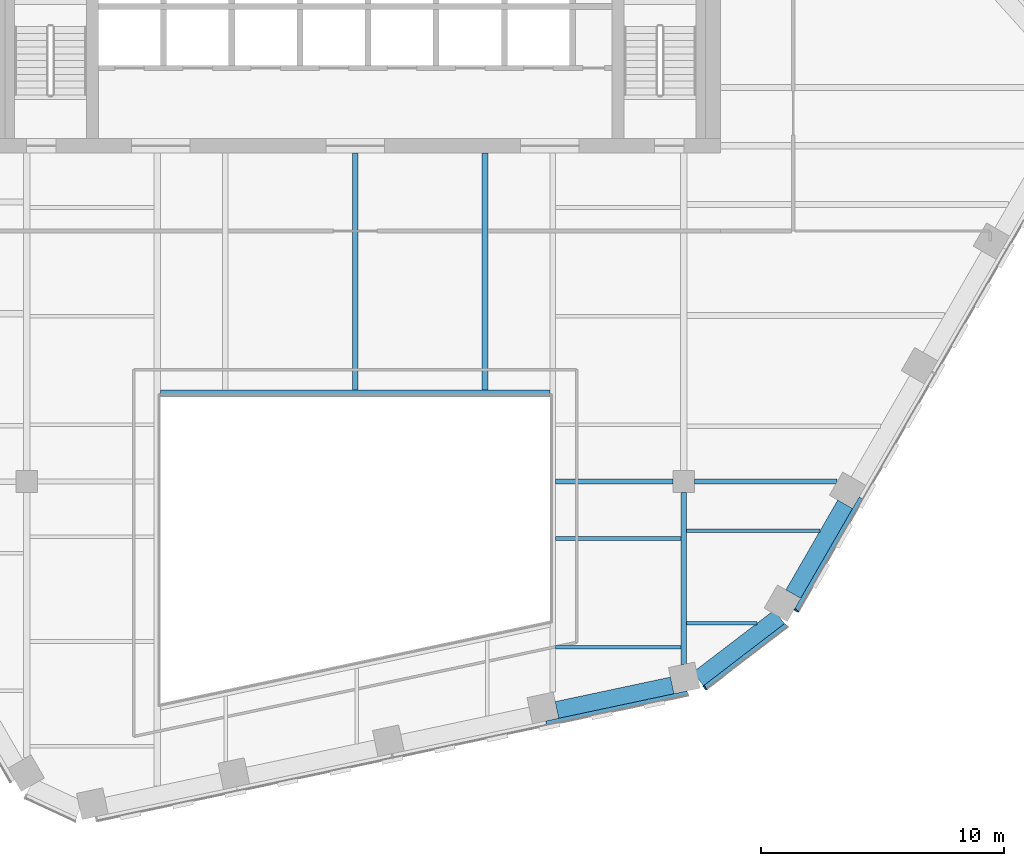
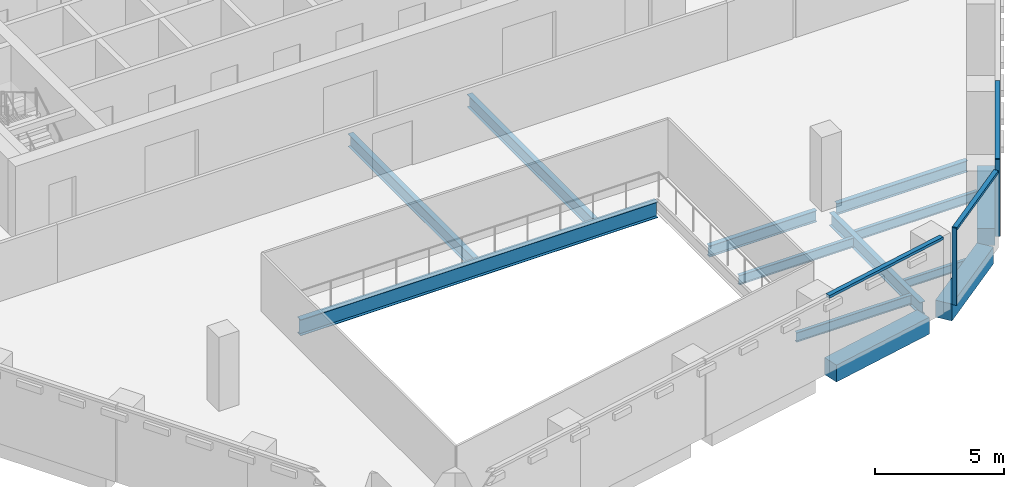
# One storey, part 4 of 16: 13 beams, 5 members, 3 elements without a shape of their own.
"""IFC4 building model written with IfcOpenShell, lengths in metres."""

import ifcopenshell
import ifcopenshell.guid

model = None  # the IFC model being written
_history = None  # IfcOwnerHistory: only IFC2X3 demands one
_inside = {}  # id of a spatial element -> (the spatial element, [elements in it])
_under = {}  # id of a project, library or spatial element -> (it, [spatial elements below it])
_declared = {}  # id of a project -> (the project, [libraries it declares])
_typed = {}  # id of a type object -> (the type object, [elements of that type])
_made_of = {}  # id of a material, layer set ... -> (it, [elements and type objects made of it])


def new_model(schema):
    """Start an empty IFC model of exactly this schema.

    Asked for "IFC4X3", IfcOpenShell would pick the latest addendum, in which some entities
    have other attributes; the version numbers below select the first issue.
    IFC2X3 requires an IfcOwnerHistory on every rooted entity: one is made here for all.
    """
    global model, _history
    if schema == "IFC4X3":
        model = ifcopenshell.file(schema_version=(4, 3, 0, 0))
    else:
        model = ifcopenshell.file(schema=schema)
    _inside.clear()
    _under.clear()
    _declared.clear()
    _typed.clear()
    _made_of.clear()
    _history = None
    if model.schema == "IFC2X3":
        org = make("IfcOrganization", Name="unknown")
        user = make(
            "IfcPersonAndOrganization",
            ThePerson=make("IfcPerson", FamilyName="unknown"),
            TheOrganization=org,
        )
        app = make(
            "IfcApplication",
            ApplicationDeveloper=org,
            Version="unknown",
            ApplicationFullName="unknown",
            ApplicationIdentifier="unknown",
        )
        _history = make(
            "IfcOwnerHistory",
            OwningUser=user,
            OwningApplication=app,
            ChangeAction="ADDED",
            CreationDate=0,
        )
    return model


def make(cls, **values):
    """One entity of the class cls with the attributes given. An attribute that is None is left unset."""
    return model.create_entity(
        cls, **{name: value for name, value in values.items() if value is not None}
    )


def rooted(cls, **values):
    """An entity with a GlobalId (a new one), such as an element, a storey or a relation."""
    return make(cls, GlobalId=ifcopenshell.guid.new(), OwnerHistory=_history, **values)


def si_unit(unit_type, name, prefix=None):
    """IfcSIUnit, for example si_unit("LENGTHUNIT", "METRE", prefix="MILLI")."""
    return make("IfcSIUnit", UnitType=unit_type, Prefix=prefix, Name=name)


def assignment(units):
    """IfcUnitAssignment: the units of a project."""
    return None if units is None else make("IfcUnitAssignment", Units=units)


def point(xyz):
    """IfcCartesianPoint."""
    return None if xyz is None else make("IfcCartesianPoint", Coordinates=xyz)


def direction(xyz):
    """IfcDirection."""
    return None if xyz is None else make("IfcDirection", DirectionRatios=xyz)


def frame(location, z_axis=None, x_axis=None):
    """IfcAxis2Placement3D, a coordinate frame: its origin and axes. An axis left out is left unset."""
    return make(
        "IfcAxis2Placement3D",
        Location=point(location),
        Axis=direction(z_axis),
        RefDirection=direction(x_axis),
    )


def frame_2d(location, x_axis=None):
    """IfcAxis2Placement2D, a coordinate frame in the plane: its origin and x axis."""
    return make(
        "IfcAxis2Placement2D", Location=point(location), RefDirection=direction(x_axis)
    )


def origin():
    """The frame at (0, 0, 0) with its axes left unset."""
    return frame((0.0, 0.0, 0.0))


def origin_2d():
    """The frame at (0, 0) in the plane with its x axis left unset."""
    return frame_2d((0.0, 0.0))


def place(relative_to, where):
    """IfcLocalPlacement: puts the frame where relative to a parent placement (None: the world)."""
    return make(
        "IfcLocalPlacement", PlacementRelTo=relative_to, RelativePlacement=where
    )


def context(
    kind, dimensions, precision=None, world=None, true_north=None, identifier=None
):
    """IfcGeometricRepresentationContext, for example the 3D "Model" context."""
    return make(
        "IfcGeometricRepresentationContext",
        ContextIdentifier=identifier,
        ContextType=kind,
        CoordinateSpaceDimension=dimensions,
        Precision=precision,
        WorldCoordinateSystem=world,
        TrueNorth=true_north,
    )


def subcontext(parent, identifier, kind, view, scale=None):
    """IfcGeometricRepresentationSubContext, for example "Body" below "Model"."""
    return make(
        "IfcGeometricRepresentationSubContext",
        ContextIdentifier=identifier,
        ContextType=kind,
        ParentContext=parent,
        TargetScale=scale,
        TargetView=view,
    )


def project(units=None, contexts=None):
    """IfcProject with its units and contexts."""
    return rooted(
        "IfcProject",
        Name="project",
        RepresentationContexts=contexts,
        UnitsInContext=assignment(units),
    )


def spatial(cls, under=None, at=None, **own):
    """A site, building, storey or space (cls), placed at a placement, below another one or the project."""
    s = rooted(cls, ObjectPlacement=at, **own)
    if under is not None:
        _under.setdefault(under.id(), (under, []))[1].append(s)
    return s


def profile(cls, at=None, kind="AREA", **sizes):
    """A parametric profile (cls). Its sizes go by their IFC names, for example OverallWidth=200.0."""
    return make(cls, ProfileType=kind, Position=at, **sizes)


def rectangle(**sizes):
    """IfcRectangleProfileDef."""
    return profile("IfcRectangleProfileDef", **sizes)


def i_section(**sizes):
    """IfcIShapeProfileDef."""
    return profile("IfcIShapeProfileDef", **sizes)


def extrude(swept, where, along, depth):
    """IfcExtrudedAreaSolid: the profile swept, set in the frame where, extruded along a direction by depth."""
    return make(
        "IfcExtrudedAreaSolid",
        SweptArea=swept,
        Position=where,
        ExtrudedDirection=direction(along),
        Depth=depth,
    )


def shape(context_of_items, identifier, shape_type, items):
    """IfcShapeRepresentation: the items that make up one representation, for example the "Body"."""
    return make(
        "IfcShapeRepresentation",
        ContextOfItems=context_of_items,
        RepresentationIdentifier=identifier,
        RepresentationType=shape_type,
        Items=items,
    )


def material(Name=None, Category=None):
    """IfcMaterial."""
    return make("IfcMaterial", Name=Name, Category=Category)


def layer(
    of_material, thickness, ventilated=None, Name=None, Category=None, Priority=None
):
    """IfcMaterialLayer: one layer of a wall or slab, of a material (None: an air gap)."""
    return make(
        "IfcMaterialLayer",
        Material=of_material,
        LayerThickness=thickness,
        IsVentilated=ventilated,
        Name=Name,
        Category=Category,
        Priority=Priority,
    )


def layer_set(layers, Name=None):
    """IfcMaterialLayerSet."""
    return make("IfcMaterialLayerSet", MaterialLayers=layers, LayerSetName=Name)


def material_profile(
    of_material, cross_section, Name=None, Category=None, Priority=None
):
    """IfcMaterialProfile: a cross section and its material."""
    return make(
        "IfcMaterialProfile",
        Name=Name,
        Material=of_material,
        Profile=cross_section,
        Priority=Priority,
        Category=Category,
    )


def profile_set(profiles, Name=None, composite=None):
    """IfcMaterialProfileSet."""
    return make(
        "IfcMaterialProfileSet",
        Name=Name,
        MaterialProfiles=profiles,
        CompositeProfile=composite,
    )


def made_of(thing, what):
    """Note that an element or type object is made of a material, layer set ...; save() writes the relation."""
    if what is not None:
        _made_of.setdefault(what.id(), (what, []))[1].append(thing)
    return thing


def type_object(cls, material=None, **own):
    """A type object (cls), such as IfcWallType, which elements share."""
    return made_of(rooted(cls, **own), material)


def element(
    cls,
    number,
    at=None,
    inside=None,
    cuts=None,
    type_object=None,
    material=None,
    context=None,
    identifier="Body",
    shape_type=None,
    held_by="IfcProductDefinitionShape",
    body=None,
    shapes=None,
    **own,
):
    """One element of the class cls, such as IfcWall. Its Tag is "e" and its number.

    at: its placement. inside: the storey or other place that contains it. cuts: it is an
    opening in that element (IfcRelVoidsElement). A single representation is given by context,
    identifier, shape_type and body (its items); several are given by shapes. held_by: the class
    of the entity that holds the representations. save() writes the other relations.
    """
    e = rooted(cls, Tag="e%d" % number, ObjectPlacement=at, **own)
    if body is not None:
        shapes = [shape(context, identifier, shape_type, body)]
    if shapes is not None:
        e.Representation = make(held_by, Representations=shapes)
    if inside is not None:
        _inside.setdefault(inside.id(), (inside, []))[1].append(e)
    if cuts is not None:
        rooted(
            "IfcRelVoidsElement", RelatingBuildingElement=cuts, RelatedOpeningElement=e
        )
    if type_object is not None:
        _typed.setdefault(type_object.id(), (type_object, []))[1].append(e)
    return made_of(e, material)


def aggregate(whole, parts):
    """IfcRelAggregates: a whole, such as a stair, and the parts it consists of."""
    return rooted("IfcRelAggregates", RelatingObject=whole, RelatedObjects=parts)


def save(model, path):
    """Write the relations noted so far, then the file.

    IfcRelAggregates (storeys below a building ...), IfcRelContainedInSpatialStructure (elements
    in a storey), IfcRelDefinesByType, IfcRelAssociatesMaterial and IfcRelDeclares: one each for
    every whole, place, type object, material and project.
    """
    for whole, parts in _under.values():
        aggregate(whole, parts)
    for where, things in _inside.values():
        rooted(
            "IfcRelContainedInSpatialStructure",
            RelatedElements=things,
            RelatingStructure=where,
        )
    for kind, things in _typed.values():
        rooted("IfcRelDefinesByType", RelatedObjects=things, RelatingType=kind)
    for what, things in _made_of.values():
        rooted("IfcRelAssociatesMaterial", RelatedObjects=things, RelatingMaterial=what)
    for by, libraries in _declared.values():
        rooted("IfcRelDeclares", RelatingContext=by, RelatedDefinitions=libraries)
    model.write(path)


model = new_model("IFC4")

# Units and contexts
model_context = context("Model", 3, precision=1e-05, world=origin(), true_north=direction((0.0, 1.0)))
body_context = subcontext(model_context, "Body", "Model", "MODEL_VIEW")
ifc_project = project(units=[si_unit("LENGTHUNIT", "METRE"), si_unit("AREAUNIT", "SQUARE_METRE"), si_unit("VOLUMEUNIT", "CUBIC_METRE"), si_unit("PLANEANGLEUNIT", "RADIAN"), si_unit("MASSUNIT", "GRAM", prefix="KILO")], contexts=[model_context])

# Site, building, storey
site_placement = place(None, origin())
site = spatial("IfcSite", under=ifc_project, at=site_placement, CompositionType="ELEMENT")
building_placement = place(site_placement, origin())
building = spatial("IfcBuilding", under=site, at=building_placement, Name="Isthmus Gate Tower", CompositionType="ELEMENT")
storey_placement = place(building_placement, frame((0.0, 0.0, 216.300048828125)))
storey = spatial("IfcBuildingStorey", under=building, at=storey_placement, Name="L54", CompositionType="ELEMENT", Elevation=216.300048828125)

# Curtain wall, member
ifc_material_1 = material(Name="Aluminium, pale champagne anodised", Category="aluminium")
ifc_layer = layer(ifc_material_1, 0.199951171875)
ifc_layer_set = layer_set([ifc_layer], Name="CW-1 UNITISED CURTAIN WALL 200 DEEP")
curtain_wall_type = type_object("IfcCurtainWallType", Name="CW-1 UNITISED CURTAIN WALL 200 DEEP", PredefinedType="NOTDEFINED", material=ifc_layer_set)
curtain_wall_1_placement = place(storey_placement, origin())
curtain_wall_1 = element("IfcCurtainWall", 1, at=curtain_wall_1_placement, inside=storey, type_object=curtain_wall_type, Name="CW-1 S-SE L54", PredefinedType="NOTDEFINED")
ifc_material_2 = material(Name="Aluminium, pale champagne anodised", Category="aluminium")
ifc_material_profile_1 = material_profile(ifc_material_2, rectangle(XDim=0.06005859375, YDim=0.199951171875, at=origin_2d()), Name="60x200")
ifc_profile_set_1 = profile_set([ifc_material_profile_1], Name="Aluminium, pale champagne anodised")
member_type_1 = type_object("IfcMemberType", Name="CW-1 MULLION 60 X 200", PredefinedType="MULLION", material=ifc_profile_set_1)
member_1_placement = place(storey_placement, frame((14.3720703125, -21.961669921875, 0.0), z_axis=(0.0, 0.0, 1.0), x_axis=(0.794188594387, 0.607671355706, 0.0)))
member_1 = element("IfcMember", 2, at=member_1_placement, type_object=member_type_1, Name="CW-1 mullion", PredefinedType="MULLION", context=body_context, shape_type="SweptSolid", body=[
    extrude(rectangle(XDim=0.06005859375, YDim=0.199951171875, at=origin_2d()), origin(), (0.0, 0.0, 1.0), 3.64990234375),
])

curtain_wall_2_placement = place(storey_placement, origin())
curtain_wall_2 = element("IfcCurtainWall", 3, at=curtain_wall_2_placement, inside=storey, type_object=curtain_wall_type, Name="CW-1 SE L54", PredefinedType="NOTDEFINED")
member_2_placement = place(storey_placement, frame((18.131591796875, -18.794921875, 0.0), z_axis=(0.0, 0.0, 1.0), x_axis=(0.5, 0.866025403784, 0.0)))
member_2 = element("IfcMember", 4, at=member_2_placement, type_object=member_type_1, Name="CW-1 mullion", PredefinedType="MULLION", context=body_context, shape_type="SweptSolid", body=[
    extrude(rectangle(XDim=0.06005859375, YDim=0.199951171875, at=origin_2d()), origin(), (0.0, 0.0, 1.0), 3.64990234375),
])

curtain_wall_3_placement = place(storey_placement, origin())
curtain_wall_3 = element("IfcCurtainWall", 5, at=curtain_wall_3_placement, inside=storey, type_object=curtain_wall_type, Name="CW-1 S L54", PredefinedType="NOTDEFINED")
ifc_material_3 = material(Name="Aluminium, pale champagne anodised", Category="aluminium")
ifc_material_profile_2 = material_profile(ifc_material_3, rectangle(XDim=0.199951171875, YDim=0.1298828125, at=origin_2d()), Name="200x130")
ifc_profile_set_2 = profile_set([ifc_material_profile_2], Name="Aluminium, pale champagne anodised")
member_type_2 = type_object("IfcMemberType", Name="CW-1 TRANSOM 200 X 130", PredefinedType="USERDEFINED", material=ifc_profile_set_2)
member_3_placement = place(storey_placement, frame((7.844970703125, -23.434814453125, 3.5849609375), z_axis=(0.978148616043, 0.207906914105, 0.0), x_axis=(-0.207906914105, 0.978148616043, 0.0)))
member_3 = element("IfcMember", 6, at=member_3_placement, type_object=member_type_2, Name="CW-1 transom", ObjectType="TRANSOM", PredefinedType="USERDEFINED", context=body_context, shape_type="SweptSolid", body=[
    extrude(rectangle(XDim=0.199951171875, YDim=0.1298828125, at=origin_2d()), origin(), (0.0, 0.0, 1.0), 5.94189453125),
])
aggregate(curtain_wall_3, [member_3])

# Member
member_4_placement = place(storey_placement, frame((14.39599609375, -21.943603515625, 3.5849609375), z_axis=(0.794175498212, 0.607688471209, 0.0), x_axis=(-0.607688471209, 0.794175498212, 0.0)))
member_4 = element("IfcMember", 7, at=member_4_placement, type_object=member_type_2, Name="CW-1 transom", ObjectType="TRANSOM", PredefinedType="USERDEFINED", context=body_context, shape_type="SweptSolid", body=[
    extrude(rectangle(XDim=0.199951171875, YDim=0.1298828125, at=origin_2d()), origin(), (0.0, 0.0, 1.0), 4.181396484375),
])

aggregate(curtain_wall_1, [member_1, member_4])

member_5_placement = place(storey_placement, frame((18.146728515625, -18.76904296875, 3.5849609375), z_axis=(0.499968318869, 0.866043694121, 0.0), x_axis=(-0.866043694121, 0.499968318869, 0.0)))
member_5 = element("IfcMember", 8, at=member_5_placement, type_object=member_type_2, Name="CW-1 transom", ObjectType="TRANSOM", PredefinedType="USERDEFINED", context=body_context, shape_type="SweptSolid", body=[
    extrude(rectangle(XDim=0.199951171875, YDim=0.1298828125, at=origin_2d()), origin(), (0.0, 0.0, 1.0), 5.300537109375),
])

aggregate(curtain_wall_2, [member_2, member_5])

# Beams
ifc_material_4 = material(Name="Concrete f'c 50 MPa", Category="concrete")
ifc_material_profile_3 = material_profile(ifc_material_4, rectangle(XDim=0.699951171875, YDim=0.800048828125, at=origin_2d()), Name="RC 700X800")
ifc_profile_set_3 = profile_set([ifc_material_profile_3], Name="Concrete f'c 50 MPa")
beam_type_1 = type_object("IfcBeamType", Name="RC SPANDREL 700 X 800", PredefinedType="SPANDREL", material=ifc_profile_set_3)
beam_1_placement = place(storey_placement, frame((20.13232421875, -14.429931640625, -0.400146484375), z_axis=(-0.500021719575, -0.866012863619, 0.0), x_axis=(0.866012863619, -0.500021719575, 0.0)))
element("IfcBeam", 9, at=beam_1_placement, inside=storey, type_object=beam_type_1, Name="str-spandrel-L54-09", PredefinedType="SPANDREL", context=body_context, shape_type="SweptSolid", body=[
    extrude(rectangle(XDim=0.699951171875, YDim=0.800048828125, at=origin_2d()), origin(), (0.0, 0.0, 1.0), 4.260498046875),
])
beam_2_placement = place(storey_placement, frame((17.4267578125, -19.057861328125, -0.400146484375), z_axis=(-0.794182771845, -0.60767896533, 0.0), x_axis=(0.60767896533, -0.794182771845, 0.0)))
element("IfcBeam", 10, at=beam_2_placement, inside=storey, type_object=beam_type_1, Name="str-spandrel-L54-10", PredefinedType="SPANDREL", context=body_context, shape_type="SweptSolid", body=[
    extrude(rectangle(XDim=0.699951171875, YDim=0.800048828125, at=origin_2d()), origin(), (0.0, 0.0, 1.0), 4.19677734375),
])
beam_3_placement = place(storey_placement, frame((13.025390625, -21.87353515625, -0.400146484375), z_axis=(-0.978151545833, -0.207893129722, 0.0), x_axis=(0.207893129722, -0.978151545833, 0.0)))
element("IfcBeam", 11, at=beam_3_placement, inside=storey, type_object=beam_type_1, Name="str-spandrel-L54-11", PredefinedType="SPANDREL", context=body_context, shape_type="SweptSolid", body=[
    extrude(rectangle(XDim=0.699951171875, YDim=0.800048828125, at=origin_2d()), origin(), (0.0, 0.0, 1.0), 4.841796875),
])
ifc_material_5 = material(Name="Structural steel ASTM A992 Gr 50", Category="steel")
ifc_material_profile_4 = material_profile(ifc_material_5, i_section(OverallWidth=0.1396484375, OverallDepth=0.4033203125, WebThickness=0.00634765625, FlangeThickness=0.010986328125, at=origin_2d()), Name="W16X31")
ifc_profile_set_4 = profile_set([ifc_material_profile_4], Name="Structural steel ASTM A992 Gr 50")
beam_type_2 = type_object("IfcBeamType", Name="STEEL FLOOR BEAM W16X31", PredefinedType="JOIST", material=ifc_profile_set_4)
beam_4_placement = place(storey_placement, frame((13.6142578125, -19.322998046875, -0.3515625), z_axis=(1.0, 0.0, 0.0), x_axis=(0.0, 1.0, 0.0)))
element("IfcBeam", 12, at=beam_4_placement, inside=storey, type_object=beam_type_2, Name="str-beam-L54-11-00", PredefinedType="JOIST", context=body_context, shape_type="SweptSolid", body=[
    extrude(i_section(OverallWidth=0.1396484375, OverallDepth=0.4033203125, WebThickness=0.00634765625, FlangeThickness=0.010986328125, at=origin_2d()), origin(), (0.0, 0.0, 1.0), 2.889892578125),
])
ifc_material_6 = material(Name="Structural steel ASTM A992 Gr 50", Category="steel")
ifc_material_profile_5 = material_profile(ifc_material_6, i_section(OverallWidth=0.15234375, OverallDepth=0.45068359375, WebThickness=0.0078125, FlangeThickness=0.010986328125, at=origin_2d()), Name="W18X35")
ifc_profile_set_5 = profile_set([ifc_material_profile_5], Name="Structural steel ASTM A992 Gr 50")
beam_type_3 = type_object("IfcBeamType", Name="STEEL FLOOR BEAM W18X35", PredefinedType="JOIST", material=ifc_profile_set_5)
for number, where, z_axis, x_axis, name in (
    (13, (8.228515625, -20.3046875, -0.37548828125), (1.0, 0.0, 0.0), (0.0, 1.0, 0.0), "str-beam-L54-09-00"),
    (14, (8.228515625, -15.838134765625, -0.37548828125), (1.0, 0.0, 0.0), (0.0, 1.0, 0.0), "str-beam-L54-09-01"),
):
    element("IfcBeam", number, at=place(storey_placement, frame(where, z_axis=z_axis, x_axis=x_axis)), inside=storey, type_object=beam_type_3, Name=name, PredefinedType="JOIST", context=body_context, shape_type="SweptSolid", body=[
        extrude(i_section(OverallWidth=0.15234375, OverallDepth=0.45068359375, WebThickness=0.0078125, FlangeThickness=0.010986328125, at=origin_2d()), origin(), (0.0, 0.0, 1.0), 5.1572265625),
    ])
beam_5_placement = place(storey_placement, frame((13.6142578125, -15.5107421875, -0.37548828125), z_axis=(1.0, 0.0, 0.0), x_axis=(0.0, 1.0, 0.0)))
element("IfcBeam", 15, at=beam_5_placement, inside=storey, type_object=beam_type_3, Name="str-beam-L54-11-01", PredefinedType="JOIST", context=body_context, shape_type="SweptSolid", body=[
    extrude(i_section(OverallWidth=0.15234375, OverallDepth=0.45068359375, WebThickness=0.0078125, FlangeThickness=0.010986328125, at=origin_2d()), origin(), (0.0, 0.0, 1.0), 5.48974609375),
])
ifc_material_7 = material(Name="Structural steel ASTM A992 Gr 50", Category="steel")
ifc_material_profile_6 = material_profile(ifc_material_7, i_section(OverallWidth=0.228515625, OverallDepth=0.603271484375, WebThickness=0.010986328125, FlangeThickness=0.014404296875, at=origin_2d()), Name="W24X68")
ifc_profile_set_6 = profile_set([ifc_material_profile_6], Name="Structural steel ASTM A992 Gr 50")
beam_type_4 = type_object("IfcBeamType", Name="STEEL FLOOR BEAM W24X68", PredefinedType="JOIST", material=ifc_profile_set_6)
for number, where, z_axis, x_axis, name in (
    (16, (0.0, -9.7333984375, -0.45166015625), (0.0, 1.0, 0.0), (-1.0, 0.0, 0.0), "str-beam-L54-07-01"),
    (17, (5.333251953125, -9.7333984375, -0.45166015625), (0.0, 1.0, 0.0), (-1.0, 0.0, 0.0), "str-beam-L54-07-02"),
):
    element("IfcBeam", number, at=place(storey_placement, frame(where, z_axis=z_axis, x_axis=x_axis)), inside=storey, type_object=beam_type_4, Name=name, PredefinedType="JOIST", context=body_context, shape_type="SweptSolid", body=[
        extrude(i_section(OverallWidth=0.228515625, OverallDepth=0.603271484375, WebThickness=0.010986328125, FlangeThickness=0.014404296875, at=origin_2d()), origin(), (0.0, 0.0, 1.0), 9.7333984375),
    ])
ifc_material_8 = material(Name="Structural steel ASTM A992 Gr 50", Category="steel")
ifc_material_profile_7 = material_profile(ifc_material_8, i_section(OverallWidth=0.20947265625, OverallDepth=0.533447265625, WebThickness=0.009521484375, FlangeThickness=0.015869140625, at=origin_2d()), Name="W21X62")
ifc_profile_set_7 = profile_set([ifc_material_profile_7], Name="Structural steel ASTM A992 Gr 50")
beam_type_5 = type_object("IfcBeamType", Name="STEEL GIRDER W21X62", PredefinedType="BEAM", material=ifc_profile_set_7)
beam_6_placement = place(storey_placement, frame((8.228515625, -13.5, -0.416748046875), z_axis=(1.0, 0.0, 0.0), x_axis=(0.0, 1.0, 0.0)))
element("IfcBeam", 18, at=beam_6_placement, inside=storey, type_object=beam_type_5, Name="str-girder-L54-03", PredefinedType="BEAM", context=body_context, shape_type="SweptSolid", body=[
    extrude(i_section(OverallWidth=0.20947265625, OverallDepth=0.533447265625, WebThickness=0.009521484375, FlangeThickness=0.015869140625, at=origin_2d()), origin(), (0.0, 0.0, 1.0), 4.821533203125),
])
beam_7_placement = place(storey_placement, frame((13.949951171875, -13.5, -0.416748046875), z_axis=(1.0, 0.0, 0.0), x_axis=(0.0, 1.0, 0.0)))
element("IfcBeam", 19, at=beam_7_placement, inside=storey, type_object=beam_type_5, Name="str-girder-L54-04", PredefinedType="BEAM", context=body_context, shape_type="SweptSolid", body=[
    extrude(i_section(OverallWidth=0.20947265625, OverallDepth=0.533447265625, WebThickness=0.009521484375, FlangeThickness=0.015869140625, at=origin_2d()), origin(), (0.0, 0.0, 1.0), 5.853271484375),
])
ifc_material_9 = material(Name="Structural steel ASTM A992 Gr 50", Category="steel")
ifc_material_profile_8 = material_profile(ifc_material_9, i_section(OverallWidth=0.228515625, OverallDepth=0.603271484375, WebThickness=0.010986328125, FlangeThickness=0.014404296875, at=origin_2d()), Name="W24X68")
ifc_profile_set_8 = profile_set([ifc_material_profile_8], Name="Structural steel ASTM A992 Gr 50")
beam_type_6 = type_object("IfcBeamType", Name="STEEL GIRDER W24X68", PredefinedType="BEAM", material=ifc_profile_set_8)
beam_8_placement = place(storey_placement, frame((13.5, -21.005859375, -0.45166015625), z_axis=(0.0, 1.0, 0.0), x_axis=(-1.0, 0.0, 0.0)))
element("IfcBeam", 20, at=beam_8_placement, inside=storey, type_object=beam_type_6, Name="str-girder-L54-07", PredefinedType="BEAM", context=body_context, shape_type="SweptSolid", body=[
    extrude(i_section(OverallWidth=0.228515625, OverallDepth=0.603271484375, WebThickness=0.010986328125, FlangeThickness=0.014404296875, at=origin_2d()), origin(), (0.0, 0.0, 1.0), 7.055908203125),
])
ifc_material_10 = material(Name="Structural steel ASTM A992 Gr 50", Category="steel")
ifc_material_profile_9 = material_profile(ifc_material_10, i_section(OverallWidth=0.2666015625, OverallDepth=0.7587890625, WebThickness=0.014404296875, FlangeThickness=0.01904296875, at=origin_2d()), Name="W30X108")
ifc_profile_set_9 = profile_set([ifc_material_profile_9], Name="Structural steel ASTM A992 Gr 50")
beam_type_7 = type_object("IfcBeamType", Name="STEEL TRIMMER W30X108", PredefinedType="BEAM", material=ifc_profile_set_9)
beam_9_placement = place(storey_placement, frame((8.0, -9.86669921875, -0.529541015625), z_axis=(-1.0, 0.0, 0.0), x_axis=(0.0, -1.0, 0.0)))
element("IfcBeam", 21, at=beam_9_placement, inside=storey, type_object=beam_type_7, Name="str-trimmer-L54-04", PredefinedType="BEAM", context=body_context, shape_type="SweptSolid", body=[
    extrude(i_section(OverallWidth=0.2666015625, OverallDepth=0.7587890625, WebThickness=0.014404296875, FlangeThickness=0.01904296875, at=origin_2d()), origin(), (0.0, 0.0, 1.0), 16.0),
])

save(model, "model.ifc")
